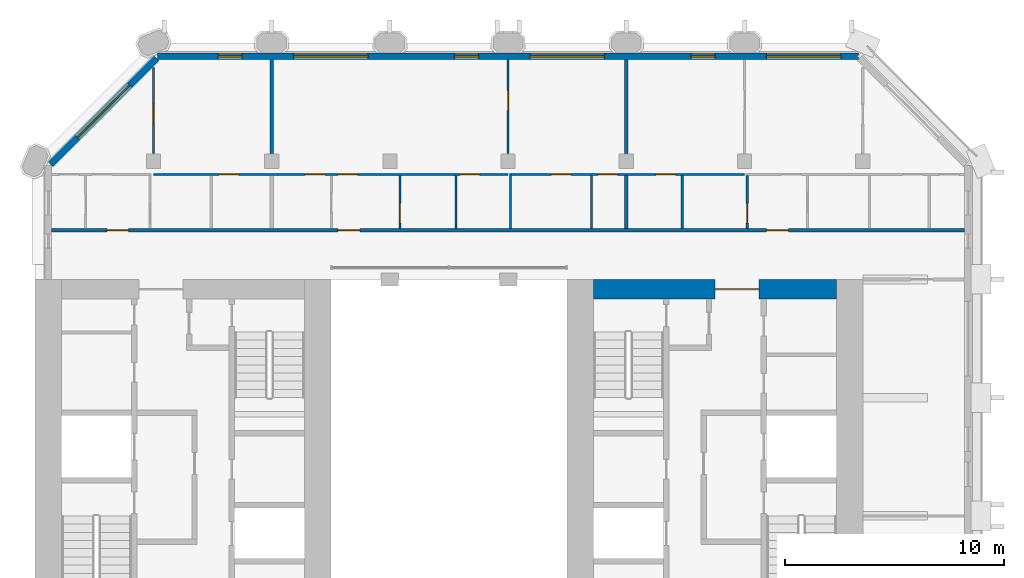
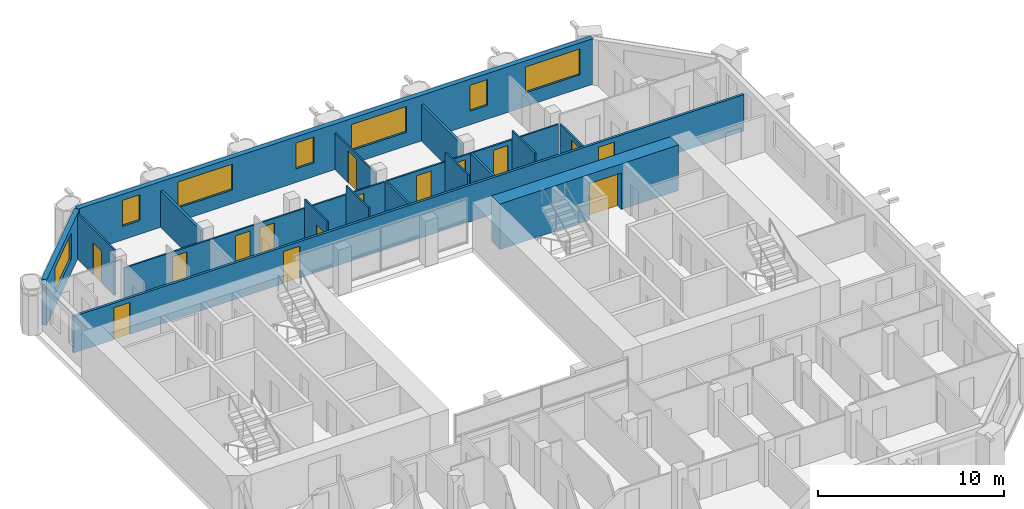
# One storey, part 10 of 14: 17 walls, 15 doors, 7 windows, 22 openings.
"""IFC4 building model written with IfcOpenShell, lengths in metres."""

from ifc_helpers import new_model, si_unit, direction, frame, frame_2d, origin, place, context, subcontext, project, spatial, rectangle, extrude, material, layer, layer_set, type_object, element, fill, save


model = new_model("IFC4")

# Units and contexts
model_context = context("Model", 3, precision=1e-05, world=origin(), true_north=direction((0.0, 1.0)))
body_context = subcontext(model_context, "Body", "Model", "MODEL_VIEW")
ifc_project = project(units=[si_unit("LENGTHUNIT", "METRE"), si_unit("AREAUNIT", "SQUARE_METRE"), si_unit("VOLUMEUNIT", "CUBIC_METRE"), si_unit("PLANEANGLEUNIT", "RADIAN"), si_unit("MASSUNIT", "GRAM", prefix="KILO")], contexts=[model_context])

# Site, building, storey
site_placement = place(None, origin())
site = spatial("IfcSite", under=ifc_project, at=site_placement, CompositionType="ELEMENT")
building_placement = place(site_placement, origin())
building = spatial("IfcBuilding", under=site, at=building_placement, Name="Tabaq Tower and Sports Hall", CompositionType="ELEMENT")
storey_placement = place(building_placement, frame((0.0, 0.0, 285.10009765625)))
storey = spatial("IfcBuildingStorey", under=building, at=storey_placement, Name="L70", CompositionType="ELEMENT", Elevation=285.10009765625)

# Wall, opening, door
ifc_material_1 = material(Name="Concrete C40/50", Category="concrete")
ifc_layer_1 = layer(ifc_material_1, 0.89990234375)
ifc_layer_set_1 = layer_set([ifc_layer_1], Name="Core wall 900 Concrete C40/50")
wall_type_1 = type_object("IfcWallType", Name="Core wall 900 Concrete C40/50", PredefinedType="SOLIDWALL", material=ifc_layer_set_1)
wall_1_placement = place(storey_placement, frame((30.89990234375, 31.949951171875, 0.0), z_axis=(0.0, 0.0, 1.0), x_axis=(1.0, 0.0, 0.0)))
wall_1 = element("IfcWall", 1, at=wall_1_placement, inside=storey, type_object=wall_type_1, Name="Core wall E L70", PredefinedType="SOLIDWALL", context=body_context, shape_type="SweptSolid", body=[
    extrude(rectangle(XDim=11.10009765625, YDim=0.89990234375, at=frame_2d((5.550048828125, 0.0))), origin(), (0.0, 0.0, 1.0), 3.0),
])
opening_1_placement = place(wall_1_placement, frame((5.550048828125, 0.0, 0.0)))
opening_1 = element("IfcOpeningElement", 2, at=opening_1_placement, cuts=wall_1, Name="Opening PD-EL70-02", PredefinedType="OPENING", context=body_context, shape_type="SweptSolid", body=[
    extrude(rectangle(XDim=2.0, YDim=2.39990234375, at=frame_2d((1.0, 1.199951171875))), frame((0.0, 0.449951171875, 0.0), z_axis=(0.0, -1.0, 0.0), x_axis=(1.0, 0.0, 0.0)), (0.0, 0.0, 1.0), 0.89990234375),
])
ifc_material_2 = material(Name="Steel fire door", Category="steel")
door_type_1 = type_object("IfcDoorType", Name="Core entrance door 2000", OperationType="DOUBLE_DOOR_SINGLE_SWING", PredefinedType="DOOR", material=ifc_material_2)
door_1_placement = place(opening_1_placement, origin())
door_1 = element("IfcDoor", 3, at=door_1_placement, inside=storey, type_object=door_type_1, Name="Core entrance north E L70", OperationType="DOUBLE_DOOR_SINGLE_SWING", OverallHeight=2.39990234375, OverallWidth=2.0, PredefinedType="DOOR", context=body_context, shape_type="SweptSolid", body=[
    extrude(rectangle(XDim=2.0, YDim=2.39990234375, at=frame_2d((1.0, 1.199951171875))), frame((0.0, 0.02490234375, 0.0), z_axis=(0.0, -1.0, 0.0), x_axis=(1.0, 0.0, 0.0)), (0.0, 0.0, 1.0), 0.050048828125),
])
fill(opening_1, door_1)

ifc_material_3 = material(Name="Gypsum board on steel studs", Category="steel")
ifc_layer_2 = layer(ifc_material_3, 0.10009765625)
ifc_layer_set_2 = layer_set([ifc_layer_2], Name="Partition 100 Gypsum board")
wall_type_2 = type_object("IfcWallType", Name="Partition 100 Gypsum board", PredefinedType="PARTITIONING", material=ifc_layer_set_2)
wall_2_placement = place(storey_placement, frame((10.800048828125, 38.14501953125, 0.0), z_axis=(0.0, 0.0, 1.0), x_axis=(0.0, 1.0, 0.0)))
wall_2 = element("IfcWall", 4, at=wall_2_placement, inside=storey, type_object=wall_type_2, Name="Partition wall L70", PredefinedType="PARTITIONING", context=body_context, shape_type="SweptSolid", body=[
    extrude(rectangle(XDim=3.94287109375, YDim=0.10009765625, at=frame_2d((1.971435546875, 0.0))), origin(), (0.0, 0.0, 1.0), 3.0),
])
opening_2_placement = place(wall_2_placement, frame((1.35498046875, 0.0, 0.0)))
opening_2 = element("IfcOpeningElement", 5, at=opening_2_placement, cuts=wall_2, Name="Opening L70-028", PredefinedType="OPENING", context=body_context, shape_type="SweptSolid", body=[
    extrude(rectangle(XDim=0.89990234375, YDim=2.10009765625, at=frame_2d((0.449951171875, 1.050048828125))), frame((0.0, 0.050048828125, 0.0), z_axis=(0.0, -1.0, 0.0), x_axis=(1.0, 0.0, 0.0)), (0.0, 0.0, 1.0), 0.10009765625),
])
ifc_material_4 = material(Name="Timber leaf in steel frame", Category="steel")
door_type_2 = type_object("IfcDoorType", Name="Internal door 900 left hand", OperationType="SINGLE_SWING_LEFT", PredefinedType="DOOR", material=ifc_material_4)
door_2_placement = place(opening_2_placement, origin())
door_2 = element("IfcDoor", 6, at=door_2_placement, inside=storey, type_object=door_type_2, Name="Internal door L70-028", OperationType="SINGLE_SWING_LEFT", OverallHeight=2.10009765625, OverallWidth=0.89990234375, PredefinedType="DOOR", context=body_context, shape_type="SweptSolid", body=[
    extrude(rectangle(XDim=0.89990234375, YDim=2.10009765625, at=frame_2d((0.449951171875, 1.050048828125))), frame((0.0, 0.02490234375, 0.0), z_axis=(0.0, -1.0, 0.0), x_axis=(1.0, 0.0, 0.0)), (0.0, 0.0, 1.0), 0.050048828125),
])
fill(opening_2, door_2)

# Wall, openings, doors
wall_3_placement = place(storey_placement, frame((10.800048828125, 37.199951171875, 0.0), z_axis=(0.0, 0.0, 1.0), x_axis=(1.0, 0.0, 0.0)))
wall_3 = element("IfcWall", 7, at=wall_3_placement, inside=storey, type_object=wall_type_2, Name="Partition wall L70", PredefinedType="PARTITIONING", context=body_context, shape_type="SweptSolid", body=[
    extrude(rectangle(XDim=16.199951171875, YDim=0.10009765625, at=frame_2d((8.10009765625, 0.0))), origin(), (0.0, 0.0, 1.0), 2.39990234375),
])
opening_3_placement = place(wall_3_placement, frame((2.9951171875, 0.0, 0.0)))
opening_3 = element("IfcOpeningElement", 8, at=opening_3_placement, cuts=wall_3, Name="Opening L70-001", PredefinedType="OPENING", context=body_context, shape_type="SweptSolid", body=[
    extrude(rectangle(XDim=0.89990234375, YDim=2.10009765625, at=frame_2d((0.449951171875, 1.050048828125))), frame((0.0, 0.050048828125, 0.0), z_axis=(0.0, -1.0, 0.0), x_axis=(1.0, 0.0, 0.0)), (0.0, 0.0, 1.0), 0.10009765625),
])
opening_4_placement = place(wall_3_placement, frame((13.99609375, 0.0, 0.0)))
opening_4 = element("IfcOpeningElement", 9, at=opening_4_placement, cuts=wall_3, Name="Opening L70-003", PredefinedType="OPENING", context=body_context, shape_type="SweptSolid", body=[
    extrude(rectangle(XDim=0.89990234375, YDim=2.10009765625, at=frame_2d((0.449951171875, 1.050048828125))), frame((0.0, 0.050048828125, 0.0), z_axis=(0.0, -1.0, 0.0), x_axis=(1.0, 0.0, 0.0)), (0.0, 0.0, 1.0), 0.10009765625),
])
opening_5_placement = place(wall_3_placement, frame((6.927978515625, 0.0, 0.0)))
opening_5 = element("IfcOpeningElement", 10, at=opening_5_placement, cuts=wall_3, Name="Opening L70-031", PredefinedType="OPENING", context=body_context, shape_type="SweptSolid", body=[
    extrude(rectangle(XDim=0.89990234375, YDim=2.10009765625, at=frame_2d((0.449951171875, 1.050048828125))), frame((0.0, 0.050048828125, 0.0), z_axis=(0.0, -1.0, 0.0), x_axis=(1.0, 0.0, 0.0)), (0.0, 0.0, 1.0), 0.10009765625),
])
opening_6_placement = place(wall_3_placement, frame((8.427978515625, 0.0, 0.0)))
opening_6 = element("IfcOpeningElement", 11, at=opening_6_placement, cuts=wall_3, Name="Opening L70-055", PredefinedType="OPENING", context=body_context, shape_type="SweptSolid", body=[
    extrude(rectangle(XDim=0.89990234375, YDim=2.10009765625, at=frame_2d((0.449951171875, 1.050048828125))), frame((0.0, 0.050048828125, 0.0), z_axis=(0.0, -1.0, 0.0), x_axis=(1.0, 0.0, 0.0)), (0.0, 0.0, 1.0), 0.10009765625),
])
door_3_placement = place(opening_5_placement, origin())
door_3 = element("IfcDoor", 12, at=door_3_placement, inside=storey, type_object=door_type_2, Name="Internal door L70-031", OperationType="SINGLE_SWING_LEFT", OverallHeight=2.10009765625, OverallWidth=0.89990234375, PredefinedType="DOOR", context=body_context, shape_type="SweptSolid", body=[
    extrude(rectangle(XDim=0.89990234375, YDim=2.10009765625, at=frame_2d((0.449951171875, 1.050048828125))), frame((0.0, 0.02490234375, 0.0), z_axis=(0.0, -1.0, 0.0), x_axis=(1.0, 0.0, 0.0)), (0.0, 0.0, 1.0), 0.050048828125),
])
fill(opening_5, door_3)
ifc_material_5 = material(Name="Timber leaf in steel frame", Category="steel")
door_type_3 = type_object("IfcDoorType", Name="Internal door 900 right hand", OperationType="SINGLE_SWING_RIGHT", PredefinedType="DOOR", material=ifc_material_5)
door_4_placement = place(opening_3_placement, origin())
door_4 = element("IfcDoor", 13, at=door_4_placement, inside=storey, type_object=door_type_3, Name="Internal door L70-001", OperationType="SINGLE_SWING_RIGHT", OverallHeight=2.10009765625, OverallWidth=0.89990234375, PredefinedType="DOOR", context=body_context, shape_type="SweptSolid", body=[
    extrude(rectangle(XDim=0.89990234375, YDim=2.10009765625, at=frame_2d((0.449951171875, 1.050048828125))), frame((0.0, 0.02490234375, 0.0), z_axis=(0.0, -1.0, 0.0), x_axis=(1.0, 0.0, 0.0)), (0.0, 0.0, 1.0), 0.050048828125),
])
fill(opening_3, door_4)
door_5_placement = place(opening_4_placement, origin())
door_5 = element("IfcDoor", 14, at=door_5_placement, inside=storey, type_object=door_type_3, Name="Internal door L70-003", OperationType="SINGLE_SWING_RIGHT", OverallHeight=2.10009765625, OverallWidth=0.89990234375, PredefinedType="DOOR", context=body_context, shape_type="SweptSolid", body=[
    extrude(rectangle(XDim=0.89990234375, YDim=2.10009765625, at=frame_2d((0.449951171875, 1.050048828125))), frame((0.0, 0.02490234375, 0.0), z_axis=(0.0, -1.0, 0.0), x_axis=(1.0, 0.0, 0.0)), (0.0, 0.0, 1.0), 0.050048828125),
])
fill(opening_4, door_5)
door_6_placement = place(opening_6_placement, origin())
door_6 = element("IfcDoor", 15, at=door_6_placement, inside=storey, type_object=door_type_3, Name="Internal door L70-055", OperationType="SINGLE_SWING_RIGHT", OverallHeight=2.10009765625, OverallWidth=0.89990234375, PredefinedType="DOOR", context=body_context, shape_type="SweptSolid", body=[
    extrude(rectangle(XDim=0.89990234375, YDim=2.10009765625, at=frame_2d((0.449951171875, 1.050048828125))), frame((0.0, 0.02490234375, 0.0), z_axis=(0.0, -1.0, 0.0), x_axis=(1.0, 0.0, 0.0)), (0.0, 0.0, 1.0), 0.050048828125),
])
fill(opening_6, door_6)

# Wall, opening, door
wall_4_placement = place(storey_placement, frame((27.0, 38.14501953125, 0.0), z_axis=(0.0, 0.0, 1.0), x_axis=(0.0, 1.0, 0.0)))
wall_4 = element("IfcWall", 16, at=wall_4_placement, inside=storey, type_object=wall_type_2, Name="Partition wall L70", PredefinedType="PARTITIONING", context=body_context, shape_type="SweptSolid", body=[
    extrude(rectangle(XDim=4.303955078125, YDim=0.10009765625, at=frame_2d((2.15185546875, 0.0))), origin(), (0.0, 0.0, 1.0), 2.39990234375),
])
opening_7_placement = place(wall_4_placement, frame((1.97998046875, 0.0, 0.0)))
opening_7 = element("IfcOpeningElement", 17, at=opening_7_placement, cuts=wall_4, Name="Opening L70-048", PredefinedType="OPENING", context=body_context, shape_type="SweptSolid", body=[
    extrude(rectangle(XDim=0.89990234375, YDim=2.10009765625, at=frame_2d((0.449951171875, 1.050048828125))), frame((0.0, 0.050048828125, 0.0), z_axis=(0.0, -1.0, 0.0), x_axis=(1.0, 0.0, 0.0)), (0.0, 0.0, 1.0), 0.10009765625),
])
door_7_placement = place(opening_7_placement, origin())
door_7 = element("IfcDoor", 18, at=door_7_placement, inside=storey, type_object=door_type_2, Name="Internal door L70-048", OperationType="SINGLE_SWING_LEFT", OverallHeight=2.10009765625, OverallWidth=0.89990234375, PredefinedType="DOOR", context=body_context, shape_type="SweptSolid", body=[
    extrude(rectangle(XDim=0.89990234375, YDim=2.10009765625, at=frame_2d((0.449951171875, 1.050048828125))), frame((0.0, 0.02490234375, 0.0), z_axis=(0.0, -1.0, 0.0), x_axis=(1.0, 0.0, 0.0)), (0.0, 0.0, 1.0), 0.050048828125),
])
fill(opening_7, door_7)

wall_5_placement = place(storey_placement, frame((22.05810546875, 34.72509765625, 0.0), z_axis=(0.0, 0.0, 1.0), x_axis=(0.0, 1.0, 0.0)))
wall_5 = element("IfcWall", 19, at=wall_5_placement, inside=storey, type_object=wall_type_2, Name="Partition wall L70", PredefinedType="PARTITIONING", context=body_context, shape_type="SweptSolid", body=[
    extrude(rectangle(XDim=2.4248046875, YDim=0.10009765625, at=frame_2d((1.21240234375, 0.0))), origin(), (0.0, 0.0, 1.0), 3.0),
])
opening_8_placement = place(wall_5_placement, frame((0.25, 0.0, 0.0)))
opening_8 = element("IfcOpeningElement", 20, at=opening_8_placement, cuts=wall_5, Name="Opening L70-006", PredefinedType="OPENING", context=body_context, shape_type="SweptSolid", body=[
    extrude(rectangle(XDim=0.89990234375, YDim=2.10009765625, at=frame_2d((0.449951171875, 1.050048828125))), frame((0.0, 0.050048828125, 0.0), z_axis=(0.0, -1.0, 0.0), x_axis=(1.0, 0.0, 0.0)), (0.0, 0.0, 1.0), 0.10009765625),
])
door_8_placement = place(opening_8_placement, origin())
door_8 = element("IfcDoor", 21, at=door_8_placement, inside=storey, type_object=door_type_2, Name="Internal door L70-006", OperationType="SINGLE_SWING_LEFT", OverallHeight=2.10009765625, OverallWidth=0.89990234375, PredefinedType="DOOR", context=body_context, shape_type="SweptSolid", body=[
    extrude(rectangle(XDim=0.89990234375, YDim=2.10009765625, at=frame_2d((0.449951171875, 1.050048828125))), frame((0.0, 0.02490234375, 0.0), z_axis=(0.0, -1.0, 0.0), x_axis=(1.0, 0.0, 0.0)), (0.0, 0.0, 1.0), 0.050048828125),
])
fill(opening_8, door_8)

# Walls
wall_6_placement = place(storey_placement, frame((24.6259765625, 34.72509765625, 0.0), z_axis=(0.0, 0.0, 1.0), x_axis=(0.0, 1.0, 0.0)))
element("IfcWall", 22, at=wall_6_placement, inside=storey, type_object=wall_type_2, Name="Partition wall L70", PredefinedType="PARTITIONING", context=body_context, shape_type="SweptSolid", body=[
    extrude(rectangle(XDim=2.4248046875, YDim=0.10009765625, at=frame_2d((1.21240234375, 0.0))), origin(), (0.0, 0.0, 1.0), 3.0),
])
wall_7_placement = place(storey_placement, frame((27.114013671875, 34.72509765625, 0.0), z_axis=(0.0, 0.0, 1.0), x_axis=(0.0, 1.0, 0.0)))
element("IfcWall", 23, at=wall_7_placement, inside=storey, type_object=wall_type_2, Name="Partition wall L70", PredefinedType="PARTITIONING", context=body_context, shape_type="SweptSolid", body=[
    extrude(rectangle(XDim=2.52490234375, YDim=0.10009765625, at=frame_2d((1.262451171875, 0.0))), origin(), (0.0, 0.0, 1.0), 2.39990234375),
])
wall_8_placement = place(storey_placement, frame((30.804931640625, 34.72509765625, 0.0), z_axis=(0.0, 0.0, 1.0), x_axis=(0.0, 1.0, 0.0)))
element("IfcWall", 24, at=wall_8_placement, inside=storey, type_object=wall_type_2, Name="Partition wall L70", PredefinedType="PARTITIONING", context=body_context, shape_type="SweptSolid", body=[
    extrude(rectangle(XDim=2.4248046875, YDim=0.10009765625, at=frame_2d((1.21240234375, 0.0))), origin(), (0.0, 0.0, 1.0), 3.0),
])

# Wall, openings, doors
wall_9_placement = place(storey_placement, frame((27.1640625, 37.199951171875, 0.0), z_axis=(0.0, 0.0, 1.0), x_axis=(1.0, 0.0, 0.0)))
wall_9 = element("IfcWall", 25, at=wall_9_placement, inside=storey, type_object=wall_type_2, Name="Partition wall L70", PredefinedType="PARTITIONING", context=body_context, shape_type="SweptSolid", body=[
    extrude(rectangle(XDim=10.635986328125, YDim=0.10009765625, at=frame_2d((5.31787109375, 0.0))), origin(), (0.0, 0.0, 1.0), 2.39990234375),
])
opening_9_placement = place(wall_9_placement, frame((1.806884765625, 0.0, 0.0)))
opening_9 = element("IfcOpeningElement", 26, at=opening_9_placement, cuts=wall_9, Name="Opening L70-004", PredefinedType="OPENING", context=body_context, shape_type="SweptSolid", body=[
    extrude(rectangle(XDim=0.89990234375, YDim=2.10009765625, at=frame_2d((0.449951171875, 1.050048828125))), frame((0.0, 0.050048828125, 0.0), z_axis=(0.0, -1.0, 0.0), x_axis=(1.0, 0.0, 0.0)), (0.0, 0.0, 1.0), 0.10009765625),
])
opening_10_placement = place(wall_9_placement, frame((3.94091796875, 0.0, 0.0)))
opening_10 = element("IfcOpeningElement", 27, at=opening_10_placement, cuts=wall_9, Name="Opening L70-005", PredefinedType="OPENING", context=body_context, shape_type="SweptSolid", body=[
    extrude(rectangle(XDim=0.89990234375, YDim=2.10009765625, at=frame_2d((0.449951171875, 1.050048828125))), frame((0.0, 0.050048828125, 0.0), z_axis=(0.0, -1.0, 0.0), x_axis=(1.0, 0.0, 0.0)), (0.0, 0.0, 1.0), 0.10009765625),
])
opening_11_placement = place(wall_9_placement, frame((6.5859375, 0.0, 0.0)))
opening_11 = element("IfcOpeningElement", 28, at=opening_11_placement, cuts=wall_9, Name="Opening L70-007", PredefinedType="OPENING", context=body_context, shape_type="SweptSolid", body=[
    extrude(rectangle(XDim=0.89990234375, YDim=2.10009765625, at=frame_2d((0.449951171875, 1.050048828125))), frame((0.0, 0.050048828125, 0.0), z_axis=(0.0, -1.0, 0.0), x_axis=(1.0, 0.0, 0.0)), (0.0, 0.0, 1.0), 0.10009765625),
])
door_9_placement = place(opening_9_placement, origin())
door_9 = element("IfcDoor", 29, at=door_9_placement, inside=storey, type_object=door_type_2, Name="Internal door L70-004", OperationType="SINGLE_SWING_LEFT", OverallHeight=2.10009765625, OverallWidth=0.89990234375, PredefinedType="DOOR", context=body_context, shape_type="SweptSolid", body=[
    extrude(rectangle(XDim=0.89990234375, YDim=2.10009765625, at=frame_2d((0.449951171875, 1.050048828125))), frame((0.0, 0.02490234375, 0.0), z_axis=(0.0, -1.0, 0.0), x_axis=(1.0, 0.0, 0.0)), (0.0, 0.0, 1.0), 0.050048828125),
])
fill(opening_9, door_9)
door_10_placement = place(opening_11_placement, origin())
door_10 = element("IfcDoor", 30, at=door_10_placement, inside=storey, type_object=door_type_2, Name="Internal door L70-007", OperationType="SINGLE_SWING_LEFT", OverallHeight=2.10009765625, OverallWidth=0.89990234375, PredefinedType="DOOR", context=body_context, shape_type="SweptSolid", body=[
    extrude(rectangle(XDim=0.89990234375, YDim=2.10009765625, at=frame_2d((0.449951171875, 1.050048828125))), frame((0.0, 0.02490234375, 0.0), z_axis=(0.0, -1.0, 0.0), x_axis=(1.0, 0.0, 0.0)), (0.0, 0.0, 1.0), 0.050048828125),
])
fill(opening_11, door_10)
door_11_placement = place(opening_10_placement, origin())
door_11 = element("IfcDoor", 31, at=door_11_placement, inside=storey, type_object=door_type_3, Name="Internal door L70-005", OperationType="SINGLE_SWING_RIGHT", OverallHeight=2.10009765625, OverallWidth=0.89990234375, PredefinedType="DOOR", context=body_context, shape_type="SweptSolid", body=[
    extrude(rectangle(XDim=0.89990234375, YDim=2.10009765625, at=frame_2d((0.449951171875, 1.050048828125))), frame((0.0, 0.02490234375, 0.0), z_axis=(0.0, -1.0, 0.0), x_axis=(1.0, 0.0, 0.0)), (0.0, 0.0, 1.0), 0.050048828125),
])
fill(opening_10, door_11)

# Wall
wall_10_placement = place(storey_placement, frame((34.949951171875, 34.72509765625, 0.0), z_axis=(0.0, 0.0, 1.0), x_axis=(0.0, 1.0, 0.0)))
element("IfcWall", 32, at=wall_10_placement, inside=storey, type_object=wall_type_2, Name="Partition wall L70", PredefinedType="PARTITIONING", context=body_context, shape_type="SweptSolid", body=[
    extrude(rectangle(XDim=2.4248046875, YDim=0.10009765625, at=frame_2d((1.21240234375, 0.0))), origin(), (0.0, 0.0, 1.0), 3.0),
])

# Wall, opening, door
wall_11_placement = place(storey_placement, frame((37.925048828125, 34.72509765625, 0.0), z_axis=(0.0, 0.0, 1.0), x_axis=(0.0, 1.0, 0.0)))
wall_11 = element("IfcWall", 33, at=wall_11_placement, inside=storey, type_object=wall_type_2, Name="Partition wall L70", PredefinedType="PARTITIONING", context=body_context, shape_type="SweptSolid", body=[
    extrude(rectangle(XDim=2.4248046875, YDim=0.10009765625, at=frame_2d((1.21240234375, 0.0))), origin(), (0.0, 0.0, 1.0), 2.39990234375),
])
opening_12_placement = place(wall_11_placement, frame((0.25, 0.0, 0.0)))
opening_12 = element("IfcOpeningElement", 34, at=opening_12_placement, cuts=wall_11, Name="Opening L70-010", PredefinedType="OPENING", context=body_context, shape_type="SweptSolid", body=[
    extrude(rectangle(XDim=0.89990234375, YDim=2.10009765625, at=frame_2d((0.449951171875, 1.050048828125))), frame((0.0, 0.050048828125, 0.0), z_axis=(0.0, -1.0, 0.0), x_axis=(1.0, 0.0, 0.0)), (0.0, 0.0, 1.0), 0.10009765625),
])
door_12_placement = place(opening_12_placement, origin())
door_12 = element("IfcDoor", 35, at=door_12_placement, inside=storey, type_object=door_type_3, Name="Internal door L70-010", OperationType="SINGLE_SWING_RIGHT", OverallHeight=2.10009765625, OverallWidth=0.89990234375, PredefinedType="DOOR", context=body_context, shape_type="SweptSolid", body=[
    extrude(rectangle(XDim=0.89990234375, YDim=2.10009765625, at=frame_2d((0.449951171875, 1.050048828125))), frame((0.0, 0.02490234375, 0.0), z_axis=(0.0, -1.0, 0.0), x_axis=(1.0, 0.0, 0.0)), (0.0, 0.0, 1.0), 0.050048828125),
])
fill(opening_12, door_12)

# Walls
ifc_material_6 = material(Name="Blockwork", Category="masonry")
ifc_layer_3 = layer(ifc_material_6, 0.14990234375)
ifc_layer_set_3 = layer_set([ifc_layer_3], Name="Separating wall 150 Blockwork")
wall_type_3 = type_object("IfcWallType", Name="Separating wall 150 Blockwork", PredefinedType="PARTITIONING", material=ifc_layer_set_3)
for number, where, z_axis, x_axis, name in (
    (36, (16.199951171875, 38.14501953125, 0.0), (0.0, 0.0, 1.0), (0.0, 1.0, 0.0), "Separating wall L70"),
    (37, (32.39990234375, 38.14501953125, 0.0), (0.0, 0.0, 1.0), (0.0, 1.0, 0.0), "Separating wall L70"),
):
    element("IfcWall", number, at=place(storey_placement, frame(where, z_axis=z_axis, x_axis=x_axis)), inside=storey, type_object=wall_type_3, Name=name, PredefinedType="PARTITIONING", context=body_context, shape_type="SweptSolid", body=[
        extrude(rectangle(XDim=4.303955078125, YDim=0.14990234375, at=frame_2d((2.15185546875, 0.0))), origin(), (0.0, 0.0, 1.0), 2.39990234375),
    ])
wall_12_placement = place(storey_placement, frame((32.39990234375, 34.72509765625, 0.0), z_axis=(0.0, 0.0, 1.0), x_axis=(0.0, 1.0, 0.0)))
element("IfcWall", 38, at=wall_12_placement, inside=storey, type_object=wall_type_3, Name="Separating wall L70", PredefinedType="PARTITIONING", context=body_context, shape_type="SweptSolid", body=[
    extrude(rectangle(XDim=2.4248046875, YDim=0.14990234375, at=frame_2d((1.21240234375, 0.0))), origin(), (0.0, 0.0, 1.0), 2.39990234375),
])

# Wall, openings, doors
wall_13_placement = place(storey_placement, frame((6.15087890625, 34.64990234375, 0.0), z_axis=(0.0, 0.0, 1.0), x_axis=(1.0, 0.0, 0.0)))
wall_13 = element("IfcWall", 39, at=wall_13_placement, inside=storey, type_object=wall_type_3, Name="Separating wall L70", PredefinedType="PARTITIONING", context=body_context, shape_type="SweptSolid", body=[
    extrude(rectangle(XDim=41.6982421875, YDim=0.14990234375, at=frame_2d((20.84912109375, 0.0))), origin(), (0.0, 0.0, 1.0), 2.39990234375),
])
opening_13_placement = place(wall_13_placement, frame((2.51904296875, 0.0, 0.0)))
opening_13 = element("IfcOpeningElement", 40, at=opening_13_placement, cuts=wall_13, Name="Opening L70-054", PredefinedType="OPENING", context=body_context, shape_type="SweptSolid", body=[
    extrude(rectangle(XDim=1.0, YDim=2.10009765625, at=frame_2d((0.5, 1.050048828125))), frame((0.0, 0.074951171875, 0.0), z_axis=(0.0, -1.0, 0.0), x_axis=(1.0, 0.0, 0.0)), (0.0, 0.0, 1.0), 0.14990234375),
])
opening_14_placement = place(wall_13_placement, frame((13.076904296875, 0.0, 0.0)))
opening_14 = element("IfcOpeningElement", 41, at=opening_14_placement, cuts=wall_13, Name="Opening L70-056", PredefinedType="OPENING", context=body_context, shape_type="SweptSolid", body=[
    extrude(rectangle(XDim=1.0, YDim=2.10009765625, at=frame_2d((0.5, 1.050048828125))), frame((0.0, 0.074951171875, 0.0), z_axis=(0.0, -1.0, 0.0), x_axis=(1.0, 0.0, 0.0)), (0.0, 0.0, 1.0), 0.14990234375),
])
opening_15_placement = place(wall_13_placement, frame((32.64892578125, 0.0, 0.0)))
opening_15 = element("IfcOpeningElement", 42, at=opening_15_placement, cuts=wall_13, Name="Opening L70-057", PredefinedType="OPENING", context=body_context, shape_type="SweptSolid", body=[
    extrude(rectangle(XDim=1.0, YDim=2.10009765625, at=frame_2d((0.5, 1.050048828125))), frame((0.0, 0.074951171875, 0.0), z_axis=(0.0, -1.0, 0.0), x_axis=(1.0, 0.0, 0.0)), (0.0, 0.0, 1.0), 0.14990234375),
])
ifc_material_7 = material(Name="Steel fire door", Category="steel")
door_type_4 = type_object("IfcDoorType", Name="Entrance door 1000 right hand", OperationType="SINGLE_SWING_RIGHT", PredefinedType="DOOR", material=ifc_material_7)
door_13_placement = place(opening_13_placement, origin())
door_13 = element("IfcDoor", 43, at=door_13_placement, inside=storey, type_object=door_type_4, Name="Entrance door L70-054", OperationType="SINGLE_SWING_RIGHT", OverallHeight=2.10009765625, OverallWidth=1.0, PredefinedType="DOOR", context=body_context, shape_type="SweptSolid", body=[
    extrude(rectangle(XDim=1.0, YDim=2.10009765625, at=frame_2d((0.5, 1.050048828125))), frame((0.0, 0.02490234375, 0.0), z_axis=(0.0, -1.0, 0.0), x_axis=(1.0, 0.0, 0.0)), (0.0, 0.0, 1.0), 0.050048828125),
])
fill(opening_13, door_13)
door_14_placement = place(opening_14_placement, origin())
door_14 = element("IfcDoor", 44, at=door_14_placement, inside=storey, type_object=door_type_4, Name="Entrance door L70-056", OperationType="SINGLE_SWING_RIGHT", OverallHeight=2.10009765625, OverallWidth=1.0, PredefinedType="DOOR", context=body_context, shape_type="SweptSolid", body=[
    extrude(rectangle(XDim=1.0, YDim=2.10009765625, at=frame_2d((0.5, 1.050048828125))), frame((0.0, 0.02490234375, 0.0), z_axis=(0.0, -1.0, 0.0), x_axis=(1.0, 0.0, 0.0)), (0.0, 0.0, 1.0), 0.050048828125),
])
fill(opening_14, door_14)
door_15_placement = place(opening_15_placement, origin())
door_15 = element("IfcDoor", 45, at=door_15_placement, inside=storey, type_object=door_type_4, Name="Entrance door L70-057", OperationType="SINGLE_SWING_RIGHT", OverallHeight=2.10009765625, OverallWidth=1.0, PredefinedType="DOOR", context=body_context, shape_type="SweptSolid", body=[
    extrude(rectangle(XDim=1.0, YDim=2.10009765625, at=frame_2d((0.5, 1.050048828125))), frame((0.0, 0.02490234375, 0.0), z_axis=(0.0, -1.0, 0.0), x_axis=(1.0, 0.0, 0.0)), (0.0, 0.0, 1.0), 0.050048828125),
])
fill(opening_15, door_15)

# Wall, openings, windows
ifc_material_8 = material(Name="White precast concrete C60/75", Category="concrete")
ifc_layer_4 = layer(ifc_material_8, 0.300048828125)
ifc_layer_set_4 = layer_set([ifc_layer_4], Name="White precast concrete C60/75 external wall 300")
wall_type_4 = type_object("IfcWallType", Name="White precast concrete C60/75 external wall 300", PredefinedType="SOLIDWALL", material=ifc_layer_set_4)
wall_14_placement = place(storey_placement, frame((43.013671875, 42.60009765625, 0.0), z_axis=(0.0, 0.0, 1.0), x_axis=(-1.0, 0.0, 0.0)))
wall_14 = element("IfcWall", 46, at=wall_14_placement, inside=storey, type_object=wall_type_4, Name="External Wall L70 N", PredefinedType="SOLIDWALL", context=body_context, shape_type="SweptSolid", body=[
    extrude(rectangle(XDim=32.02734375, YDim=0.300048828125, at=frame_2d((16.013671875, 0.0))), origin(), (0.0, 0.0, 1.0), 3.0),
])
opening_16_placement = place(wall_14_placement, frame((0.813720703125, 0.0, 0.89990234375)))
opening_16 = element("IfcOpeningElement", 47, at=opening_16_placement, cuts=wall_14, Name="Opening W1A", PredefinedType="OPENING", context=body_context, shape_type="SweptSolid", body=[
    extrude(rectangle(XDim=3.39990234375, YDim=1.699951171875, at=frame_2d((1.699951171875, 0.85009765625))), frame((0.0, 0.16015625, 0.0), z_axis=(0.0, -1.0, 0.0), x_axis=(1.0, 0.0, 0.0)), (0.0, 0.0, 1.0), 0.320068359375),
])
opening_17_placement = place(wall_14_placement, frame((6.563720703125, 0.0, 0.89990234375)))
opening_17 = element("IfcOpeningElement", 48, at=opening_17_placement, cuts=wall_14, Name="Opening W1B", PredefinedType="OPENING", context=body_context, shape_type="SweptSolid", body=[
    extrude(rectangle(XDim=1.10009765625, YDim=1.699951171875, at=frame_2d((0.550048828125, 0.85009765625))), frame((0.0, 0.16015625, 0.0), z_axis=(0.0, -1.0, 0.0), x_axis=(1.0, 0.0, 0.0)), (0.0, 0.0, 1.0), 0.320068359375),
])
opening_18_placement = place(wall_14_placement, frame((11.613525390625, 0.0, 0.89990234375)))
opening_18 = element("IfcOpeningElement", 49, at=opening_18_placement, cuts=wall_14, Name="Opening W1A", PredefinedType="OPENING", context=body_context, shape_type="SweptSolid", body=[
    extrude(rectangle(XDim=3.39990234375, YDim=1.699951171875, at=frame_2d((1.699951171875, 0.85009765625))), frame((0.0, 0.16015625, 0.0), z_axis=(0.0, -1.0, 0.0), x_axis=(1.0, 0.0, 0.0)), (0.0, 0.0, 1.0), 0.320068359375),
])
opening_19_placement = place(wall_14_placement, frame((17.363525390625, 0.0, 0.89990234375)))
opening_19 = element("IfcOpeningElement", 50, at=opening_19_placement, cuts=wall_14, Name="Opening W1B", PredefinedType="OPENING", context=body_context, shape_type="SweptSolid", body=[
    extrude(rectangle(XDim=1.10009765625, YDim=1.699951171875, at=frame_2d((0.550048828125, 0.85009765625))), frame((0.0, 0.16015625, 0.0), z_axis=(0.0, -1.0, 0.0), x_axis=(1.0, 0.0, 0.0)), (0.0, 0.0, 1.0), 0.320068359375),
])
opening_20_placement = place(wall_14_placement, frame((22.41357421875, 0.0, 0.89990234375)))
opening_20 = element("IfcOpeningElement", 51, at=opening_20_placement, cuts=wall_14, Name="Opening W1A", PredefinedType="OPENING", context=body_context, shape_type="SweptSolid", body=[
    extrude(rectangle(XDim=3.39990234375, YDim=1.699951171875, at=frame_2d((1.699951171875, 0.85009765625))), frame((0.0, 0.16015625, 0.0), z_axis=(0.0, -1.0, 0.0), x_axis=(1.0, 0.0, 0.0)), (0.0, 0.0, 1.0), 0.320068359375),
])
opening_21_placement = place(wall_14_placement, frame((28.16357421875, 0.0, 0.89990234375)))
opening_21 = element("IfcOpeningElement", 52, at=opening_21_placement, cuts=wall_14, Name="Opening W1B", PredefinedType="OPENING", context=body_context, shape_type="SweptSolid", body=[
    extrude(rectangle(XDim=1.10009765625, YDim=1.699951171875, at=frame_2d((0.550048828125, 0.85009765625))), frame((0.0, 0.16015625, 0.0), z_axis=(0.0, -1.0, 0.0), x_axis=(1.0, 0.0, 0.0)), (0.0, 0.0, 1.0), 0.320068359375),
])
ifc_material_9 = material(Name="Aluminium framed clear glazing", Category="aluminium")
window_type_1 = type_object("IfcWindowType", Name="Window W1A", PartitioningType="SINGLE_PANEL", PredefinedType="WINDOW", material=ifc_material_9)
window_1_placement = place(opening_16_placement, origin())
window_1 = element("IfcWindow", 53, at=window_1_placement, inside=storey, type_object=window_type_1, Name="Window W1A L70", OverallHeight=1.699951171875, OverallWidth=3.39990234375, PartitioningType="SINGLE_PANEL", PredefinedType="WINDOW", context=body_context, shape_type="SweptSolid", body=[
    extrude(rectangle(XDim=3.39990234375, YDim=1.699951171875, at=frame_2d((1.699951171875, 0.85009765625))), frame((0.0, 0.030029296875, 0.0), z_axis=(0.0, -1.0, 0.0), x_axis=(1.0, 0.0, 0.0)), (0.0, 0.0, 1.0), 0.06005859375),
])
fill(opening_16, window_1)
window_2_placement = place(opening_18_placement, origin())
window_2 = element("IfcWindow", 54, at=window_2_placement, inside=storey, type_object=window_type_1, Name="Window W1A L70", OverallHeight=1.699951171875, OverallWidth=3.39990234375, PartitioningType="SINGLE_PANEL", PredefinedType="WINDOW", context=body_context, shape_type="SweptSolid", body=[
    extrude(rectangle(XDim=3.39990234375, YDim=1.699951171875, at=frame_2d((1.699951171875, 0.85009765625))), frame((0.0, 0.030029296875, 0.0), z_axis=(0.0, -1.0, 0.0), x_axis=(1.0, 0.0, 0.0)), (0.0, 0.0, 1.0), 0.06005859375),
])
fill(opening_18, window_2)
window_3_placement = place(opening_20_placement, origin())
window_3 = element("IfcWindow", 55, at=window_3_placement, inside=storey, type_object=window_type_1, Name="Window W1A L70", OverallHeight=1.699951171875, OverallWidth=3.39990234375, PartitioningType="SINGLE_PANEL", PredefinedType="WINDOW", context=body_context, shape_type="SweptSolid", body=[
    extrude(rectangle(XDim=3.39990234375, YDim=1.699951171875, at=frame_2d((1.699951171875, 0.85009765625))), frame((0.0, 0.030029296875, 0.0), z_axis=(0.0, -1.0, 0.0), x_axis=(1.0, 0.0, 0.0)), (0.0, 0.0, 1.0), 0.06005859375),
])
fill(opening_20, window_3)
ifc_material_10 = material(Name="Aluminium framed clear glazing", Category="aluminium")
window_type_2 = type_object("IfcWindowType", Name="Window W1B", PartitioningType="SINGLE_PANEL", PredefinedType="WINDOW", material=ifc_material_10)
window_4_placement = place(opening_17_placement, origin())
window_4 = element("IfcWindow", 56, at=window_4_placement, inside=storey, type_object=window_type_2, Name="Window W1B L70", OverallHeight=1.699951171875, OverallWidth=1.10009765625, PartitioningType="SINGLE_PANEL", PredefinedType="WINDOW", context=body_context, shape_type="SweptSolid", body=[
    extrude(rectangle(XDim=1.10009765625, YDim=1.699951171875, at=frame_2d((0.550048828125, 0.85009765625))), frame((0.0, 0.030029296875, 0.0), z_axis=(0.0, -1.0, 0.0), x_axis=(1.0, 0.0, 0.0)), (0.0, 0.0, 1.0), 0.06005859375),
])
fill(opening_17, window_4)
window_5_placement = place(opening_19_placement, origin())
window_5 = element("IfcWindow", 57, at=window_5_placement, inside=storey, type_object=window_type_2, Name="Window W1B L70", OverallHeight=1.699951171875, OverallWidth=1.10009765625, PartitioningType="SINGLE_PANEL", PredefinedType="WINDOW", context=body_context, shape_type="SweptSolid", body=[
    extrude(rectangle(XDim=1.10009765625, YDim=1.699951171875, at=frame_2d((0.550048828125, 0.85009765625))), frame((0.0, 0.030029296875, 0.0), z_axis=(0.0, -1.0, 0.0), x_axis=(1.0, 0.0, 0.0)), (0.0, 0.0, 1.0), 0.06005859375),
])
fill(opening_19, window_5)
window_6_placement = place(opening_21_placement, origin())
window_6 = element("IfcWindow", 58, at=window_6_placement, inside=storey, type_object=window_type_2, Name="Window W1B L70", OverallHeight=1.699951171875, OverallWidth=1.10009765625, PartitioningType="SINGLE_PANEL", PredefinedType="WINDOW", context=body_context, shape_type="SweptSolid", body=[
    extrude(rectangle(XDim=1.10009765625, YDim=1.699951171875, at=frame_2d((0.550048828125, 0.85009765625))), frame((0.0, 0.030029296875, 0.0), z_axis=(0.0, -1.0, 0.0), x_axis=(1.0, 0.0, 0.0)), (0.0, 0.0, 1.0), 0.06005859375),
])
fill(opening_21, window_6)

# Wall, opening, window
wall_15_placement = place(storey_placement, frame((10.949462890625, 42.5009765625, 0.0), z_axis=(0.0, 0.0, 1.0), x_axis=(-0.707106781187, -0.707106781187, 0.0)))
wall_15 = element("IfcWall", 59, at=wall_15_placement, inside=storey, type_object=wall_type_4, Name="External Wall L70 NW", PredefinedType="SOLIDWALL", context=body_context, shape_type="SweptSolid", body=[
    extrude(rectangle(XDim=6.85986328125, YDim=0.300048828125, at=frame_2d((3.429931640625, 0.0))), origin(), (0.0, 0.0, 1.0), 3.0),
])
opening_22_placement = place(wall_15_placement, frame((1.729736328125, 0.0, 0.89990234375)))
opening_22 = element("IfcOpeningElement", 60, at=opening_22_placement, cuts=wall_15, Name="Opening W1A", PredefinedType="OPENING", context=body_context, shape_type="SweptSolid", body=[
    extrude(rectangle(XDim=3.39990234375, YDim=1.699951171875, at=frame_2d((1.699951171875, 0.85009765625))), frame((0.0, 0.16015625, 0.0), z_axis=(0.0, -1.0, 0.0), x_axis=(1.0, 0.0, 0.0)), (0.0, 0.0, 1.0), 0.320068359375),
])
window_7_placement = place(opening_22_placement, origin())
window_7 = element("IfcWindow", 61, at=window_7_placement, inside=storey, type_object=window_type_1, Name="Window W1A L70", OverallHeight=1.699951171875, OverallWidth=3.39990234375, PartitioningType="SINGLE_PANEL", PredefinedType="WINDOW", context=body_context, shape_type="SweptSolid", body=[
    extrude(rectangle(XDim=3.39990234375, YDim=1.699951171875, at=frame_2d((1.699951171875, 0.85009765625))), frame((0.0, 0.030029296875, 0.0), z_axis=(0.0, -1.0, 0.0), x_axis=(1.0, 0.0, 0.0)), (0.0, 0.0, 1.0), 0.06005859375),
])
fill(opening_22, window_7)

save(model, "model.ifc")
